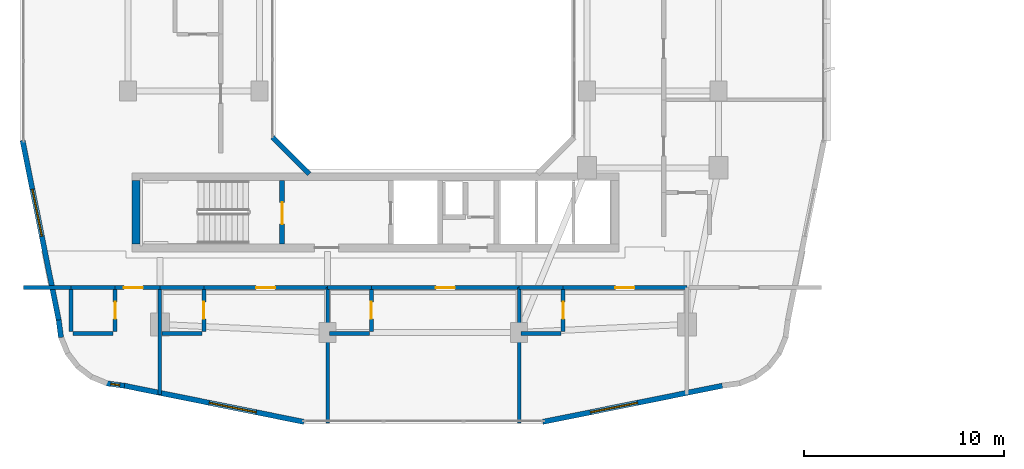
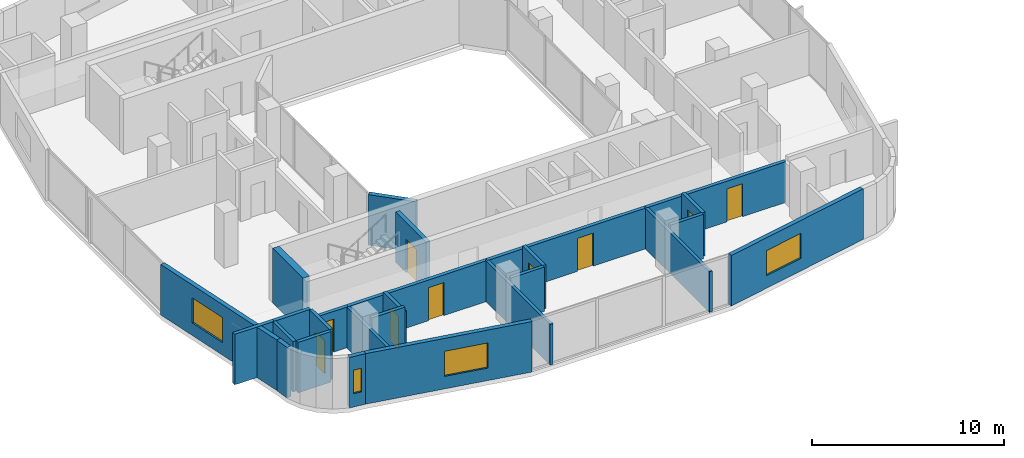
# One storey, part 12 of 26: 29 walls, 9 doors, 4 windows, 13 openings.
"""IFC4 building model written with IfcOpenShell, lengths in metres."""

import ifcopenshell
import ifcopenshell.guid

model = None  # the IFC model being written
_history = None  # IfcOwnerHistory: only IFC2X3 demands one
_inside = {}  # id of a spatial element -> (the spatial element, [elements in it])
_under = {}  # id of a project, library or spatial element -> (it, [spatial elements below it])
_declared = {}  # id of a project -> (the project, [libraries it declares])
_typed = {}  # id of a type object -> (the type object, [elements of that type])
_made_of = {}  # id of a material, layer set ... -> (it, [elements and type objects made of it])


def new_model(schema):
    """Start an empty IFC model of exactly this schema.

    Asked for "IFC4X3", IfcOpenShell would pick the latest addendum, in which some entities
    have other attributes; the version numbers below select the first issue.
    IFC2X3 requires an IfcOwnerHistory on every rooted entity: one is made here for all.
    """
    global model, _history
    if schema == "IFC4X3":
        model = ifcopenshell.file(schema_version=(4, 3, 0, 0))
    else:
        model = ifcopenshell.file(schema=schema)
    _inside.clear()
    _under.clear()
    _declared.clear()
    _typed.clear()
    _made_of.clear()
    _history = None
    if model.schema == "IFC2X3":
        org = make("IfcOrganization", Name="unknown")
        user = make(
            "IfcPersonAndOrganization",
            ThePerson=make("IfcPerson", FamilyName="unknown"),
            TheOrganization=org,
        )
        app = make(
            "IfcApplication",
            ApplicationDeveloper=org,
            Version="unknown",
            ApplicationFullName="unknown",
            ApplicationIdentifier="unknown",
        )
        _history = make(
            "IfcOwnerHistory",
            OwningUser=user,
            OwningApplication=app,
            ChangeAction="ADDED",
            CreationDate=0,
        )
    return model


def make(cls, **values):
    """One entity of the class cls with the attributes given. An attribute that is None is left unset."""
    return model.create_entity(
        cls, **{name: value for name, value in values.items() if value is not None}
    )


def rooted(cls, **values):
    """An entity with a GlobalId (a new one), such as an element, a storey or a relation."""
    return make(cls, GlobalId=ifcopenshell.guid.new(), OwnerHistory=_history, **values)


def si_unit(unit_type, name, prefix=None):
    """IfcSIUnit, for example si_unit("LENGTHUNIT", "METRE", prefix="MILLI")."""
    return make("IfcSIUnit", UnitType=unit_type, Prefix=prefix, Name=name)


def derived_unit(unit_type, elements):
    """IfcDerivedUnit: a product of units, each with its exponent."""
    return make(
        "IfcDerivedUnit",
        Elements=[
            make("IfcDerivedUnitElement", Unit=unit, Exponent=power)
            for unit, power in elements
        ],
        UnitType=unit_type,
    )


def assignment(units):
    """IfcUnitAssignment: the units of a project."""
    return None if units is None else make("IfcUnitAssignment", Units=units)


def point(xyz):
    """IfcCartesianPoint."""
    return None if xyz is None else make("IfcCartesianPoint", Coordinates=xyz)


def direction(xyz):
    """IfcDirection."""
    return None if xyz is None else make("IfcDirection", DirectionRatios=xyz)


def frame(location, z_axis=None, x_axis=None):
    """IfcAxis2Placement3D, a coordinate frame: its origin and axes. An axis left out is left unset."""
    return make(
        "IfcAxis2Placement3D",
        Location=point(location),
        Axis=direction(z_axis),
        RefDirection=direction(x_axis),
    )


def frame_2d(location, x_axis=None):
    """IfcAxis2Placement2D, a coordinate frame in the plane: its origin and x axis."""
    return make(
        "IfcAxis2Placement2D", Location=point(location), RefDirection=direction(x_axis)
    )


def origin():
    """The frame at (0, 0, 0) with its axes left unset."""
    return frame((0.0, 0.0, 0.0))


def place(relative_to, where):
    """IfcLocalPlacement: puts the frame where relative to a parent placement (None: the world)."""
    return make(
        "IfcLocalPlacement", PlacementRelTo=relative_to, RelativePlacement=where
    )


def context(
    kind, dimensions, precision=None, world=None, true_north=None, identifier=None
):
    """IfcGeometricRepresentationContext, for example the 3D "Model" context."""
    return make(
        "IfcGeometricRepresentationContext",
        ContextIdentifier=identifier,
        ContextType=kind,
        CoordinateSpaceDimension=dimensions,
        Precision=precision,
        WorldCoordinateSystem=world,
        TrueNorth=true_north,
    )


def subcontext(parent, identifier, kind, view, scale=None):
    """IfcGeometricRepresentationSubContext, for example "Body" below "Model"."""
    return make(
        "IfcGeometricRepresentationSubContext",
        ContextIdentifier=identifier,
        ContextType=kind,
        ParentContext=parent,
        TargetScale=scale,
        TargetView=view,
    )


def project(units=None, contexts=None):
    """IfcProject with its units and contexts."""
    return rooted(
        "IfcProject",
        Name="project",
        RepresentationContexts=contexts,
        UnitsInContext=assignment(units),
    )


def spatial(cls, under=None, at=None, **own):
    """A site, building, storey or space (cls), placed at a placement, below another one or the project."""
    s = rooted(cls, ObjectPlacement=at, **own)
    if under is not None:
        _under.setdefault(under.id(), (under, []))[1].append(s)
    return s


def profile(cls, at=None, kind="AREA", **sizes):
    """A parametric profile (cls). Its sizes go by their IFC names, for example OverallWidth=200.0."""
    return make(cls, ProfileType=kind, Position=at, **sizes)


def rectangle(**sizes):
    """IfcRectangleProfileDef."""
    return profile("IfcRectangleProfileDef", **sizes)


def extrude(swept, where, along, depth):
    """IfcExtrudedAreaSolid: the profile swept, set in the frame where, extruded along a direction by depth."""
    return make(
        "IfcExtrudedAreaSolid",
        SweptArea=swept,
        Position=where,
        ExtrudedDirection=direction(along),
        Depth=depth,
    )


def shape(context_of_items, identifier, shape_type, items):
    """IfcShapeRepresentation: the items that make up one representation, for example the "Body"."""
    return make(
        "IfcShapeRepresentation",
        ContextOfItems=context_of_items,
        RepresentationIdentifier=identifier,
        RepresentationType=shape_type,
        Items=items,
    )


def material(Name=None, Category=None):
    """IfcMaterial."""
    return make("IfcMaterial", Name=Name, Category=Category)


def layer(
    of_material, thickness, ventilated=None, Name=None, Category=None, Priority=None
):
    """IfcMaterialLayer: one layer of a wall or slab, of a material (None: an air gap)."""
    return make(
        "IfcMaterialLayer",
        Material=of_material,
        LayerThickness=thickness,
        IsVentilated=ventilated,
        Name=Name,
        Category=Category,
        Priority=Priority,
    )


def layer_set(layers, Name=None):
    """IfcMaterialLayerSet."""
    return make("IfcMaterialLayerSet", MaterialLayers=layers, LayerSetName=Name)


def made_of(thing, what):
    """Note that an element or type object is made of a material, layer set ...; save() writes the relation."""
    if what is not None:
        _made_of.setdefault(what.id(), (what, []))[1].append(thing)
    return thing


def type_object(cls, material=None, **own):
    """A type object (cls), such as IfcWallType, which elements share."""
    return made_of(rooted(cls, **own), material)


def element(
    cls,
    number,
    at=None,
    inside=None,
    cuts=None,
    type_object=None,
    material=None,
    context=None,
    identifier="Body",
    shape_type=None,
    held_by="IfcProductDefinitionShape",
    body=None,
    shapes=None,
    **own,
):
    """One element of the class cls, such as IfcWall. Its Tag is "e" and its number.

    at: its placement. inside: the storey or other place that contains it. cuts: it is an
    opening in that element (IfcRelVoidsElement). A single representation is given by context,
    identifier, shape_type and body (its items); several are given by shapes. held_by: the class
    of the entity that holds the representations. save() writes the other relations.
    """
    e = rooted(cls, Tag="e%d" % number, ObjectPlacement=at, **own)
    if body is not None:
        shapes = [shape(context, identifier, shape_type, body)]
    if shapes is not None:
        e.Representation = make(held_by, Representations=shapes)
    if inside is not None:
        _inside.setdefault(inside.id(), (inside, []))[1].append(e)
    if cuts is not None:
        rooted(
            "IfcRelVoidsElement", RelatingBuildingElement=cuts, RelatedOpeningElement=e
        )
    if type_object is not None:
        _typed.setdefault(type_object.id(), (type_object, []))[1].append(e)
    return made_of(e, material)


def fill(opening, filler):
    """IfcRelFillsElement: the door or window that sits in an opening."""
    return rooted(
        "IfcRelFillsElement",
        RelatingOpeningElement=opening,
        RelatedBuildingElement=filler,
    )


def aggregate(whole, parts):
    """IfcRelAggregates: a whole, such as a stair, and the parts it consists of."""
    return rooted("IfcRelAggregates", RelatingObject=whole, RelatedObjects=parts)


def save(model, path):
    """Write the relations noted so far, then the file.

    IfcRelAggregates (storeys below a building ...), IfcRelContainedInSpatialStructure (elements
    in a storey), IfcRelDefinesByType, IfcRelAssociatesMaterial and IfcRelDeclares: one each for
    every whole, place, type object, material and project.
    """
    for whole, parts in _under.values():
        aggregate(whole, parts)
    for where, things in _inside.values():
        rooted(
            "IfcRelContainedInSpatialStructure",
            RelatedElements=things,
            RelatingStructure=where,
        )
    for kind, things in _typed.values():
        rooted("IfcRelDefinesByType", RelatedObjects=things, RelatingType=kind)
    for what, things in _made_of.values():
        rooted("IfcRelAssociatesMaterial", RelatedObjects=things, RelatingMaterial=what)
    for by, libraries in _declared.values():
        rooted("IfcRelDeclares", RelatingContext=by, RelatedDefinitions=libraries)
    model.write(path)


model = new_model("IFC4")

# Units and contexts
model_context = context("Model", 3, precision=1e-05, world=origin(), true_north=direction((0.0, 1.0)))
body_context = subcontext(model_context, "Body", "Model", "MODEL_VIEW")
ifc_project = project(units=[si_unit("LENGTHUNIT", "METRE"), si_unit("AREAUNIT", "SQUARE_METRE"), si_unit("VOLUMEUNIT", "CUBIC_METRE"), si_unit("PLANEANGLEUNIT", "RADIAN"), si_unit("MASSUNIT", "GRAM", prefix="KILO"), derived_unit("THERMALTRANSMITTANCEUNIT", [(si_unit("POWERUNIT", "WATT"), 1), (si_unit("LENGTHUNIT", "METRE"), -2), (si_unit("THERMODYNAMICTEMPERATUREUNIT", "KELVIN"), -1)])], contexts=[model_context])

# Site, building, storey
site_placement = place(None, origin())
site = spatial("IfcSite", under=ifc_project, at=site_placement, CompositionType="ELEMENT")
building_placement = place(site_placement, origin())
building = spatial("IfcBuilding", under=site, at=building_placement, Name="Kivonza Crest Hotel", CompositionType="ELEMENT")
storey_placement = place(building_placement, frame((0.0, 0.0, 105.5)))
storey = spatial("IfcBuildingStorey", under=building, at=storey_placement, Name="L28", CompositionType="ELEMENT", Elevation=105.5)

# Walls
ifc_material_1 = material(Name="High-density acoustic masonry inter-tenancy wall", Category="masonry")
ifc_layer_1 = layer(ifc_material_1, 0.179931640625)
ifc_layer_set_1 = layer_set([ifc_layer_1], Name="High-density acoustic masonry inter-tenancy wall")
wall_type_1 = type_object("IfcWallType", Name="WL-ACOU-180", PredefinedType="SOLIDWALL", material=ifc_layer_set_1)
wall_1_placement = place(storey_placement, frame((7.800048828125, 6.299072265625, 0.0), z_axis=(0.0, 0.0, 1.0), x_axis=(0.0, 1.0, 0.0)))
element("IfcWall", 1, at=wall_1_placement, inside=storey, type_object=wall_type_1, Name="L28 interior partition WA-L28-T1S-DIV1", PredefinedType="SOLIDWALL", context=body_context, shape_type="SweptSolid", body=[
    extrude(rectangle(XDim=5.350830078125, YDim=0.179931640625, at=frame_2d((2.67529296875, 0.0))), origin(), (0.0, 0.0, 1.0), 2.594970703125),
])
for number, where, z_axis, x_axis, name in (
    (2, (16.199951171875, 4.860107421875, 0.0), (0.0, 0.0, 1.0), (0.0, 1.0, 0.0), "L28 interior partition WA-L28-T1S-DIV2"),
    (3, (25.800048828125, 4.860107421875, 0.0), (0.0, 0.0, 1.0), (0.0, 1.0, 0.0), "L28 interior partition WA-L28-T1S-DIV3"),
):
    element("IfcWall", number, at=place(storey_placement, frame(where, z_axis=z_axis, x_axis=x_axis)), inside=storey, type_object=wall_type_1, Name=name, PredefinedType="SOLIDWALL", context=body_context, shape_type="SweptSolid", body=[
        extrude(rectangle(XDim=6.789794921875, YDim=0.179931640625, at=frame_2d((3.39501953125, 0.0))), origin(), (0.0, 0.0, 1.0), 2.594970703125),
    ])
ifc_material_2 = material(Name="Autoclaved aerated concrete blockwork", Category="masonry")
ifc_layer_2 = layer(ifc_material_2, 0.219970703125)
ifc_layer_set_2 = layer_set([ifc_layer_2], Name="Autoclaved aerated concrete blockwork")
wall_type_2 = type_object("IfcWallType", Name="WL-ACOU-220", PredefinedType="SOLIDWALL", material=ifc_layer_set_2)
wall_2_placement = place(storey_placement, frame((0.9599609375, 11.64990234375, 0.0), z_axis=(0.0, 0.0, 1.0), x_axis=(1.0, 0.0, 0.0)))
element("IfcWall", 4, at=wall_2_placement, inside=storey, type_object=wall_type_2, Name="L28 interior partition WA-L28-S04-XCORR", PredefinedType="SOLIDWALL", context=body_context, shape_type="SweptSolid", body=[
    extrude(rectangle(XDim=2.39013671875, YDim=0.219970703125, at=frame_2d((1.195068359375, 0.0))), origin(), (0.0, 0.0, 1.0), 3.219970703125),
])
wall_3_placement = place(storey_placement, frame((3.35009765625, 11.64990234375, 0.0), z_axis=(0.0, 0.0, 1.0), x_axis=(1.0, 0.0, 0.0)))
element("IfcWall", 5, at=wall_3_placement, inside=storey, type_object=wall_type_2, Name="L28 interior partition WA-L28-S04-BCORR", PredefinedType="SOLIDWALL", context=body_context, shape_type="SweptSolid", body=[
    extrude(rectangle(XDim=2.199951171875, YDim=0.219970703125, at=frame_2d((1.10009765625, 0.0))), origin(), (0.0, 0.0, 1.0), 3.219970703125),
])

# Wall, opening, door
wall_4_placement = place(storey_placement, frame((5.550048828125, 11.64990234375, 0.0), z_axis=(0.0, 0.0, 1.0), x_axis=(1.0, 0.0, 0.0)))
wall_4 = element("IfcWall", 6, at=wall_4_placement, inside=storey, type_object=wall_type_2, Name="L28 interior partition WA-L28-S04-MCORR", PredefinedType="SOLIDWALL", context=body_context, shape_type="SweptSolid", body=[
    extrude(rectangle(XDim=2.25, YDim=0.219970703125, at=frame_2d((1.125, 0.0))), origin(), (0.0, 0.0, 1.0), 2.594970703125),
])
opening_1_placement = place(wall_4_placement, frame((0.43994140625, 0.0, 0.0)))
opening_1 = element("IfcOpeningElement", 7, at=opening_1_placement, cuts=wall_4, Name="Opening DU-60", PredefinedType="OPENING", context=body_context, shape_type="SweptSolid", body=[
    extrude(rectangle(XDim=0.949951171875, YDim=2.10009765625, at=frame_2d((0.47509765625, 1.050048828125))), frame((0.0, 0.1201171875, 0.0), z_axis=(0.0, -1.0, 0.0), x_axis=(1.0, 0.0, 0.0)), (0.0, 0.0, 1.0), 0.239990234375),
])
ifc_material_3 = material(Name="Hardwood timber oak", Category="wood")
door_type_1 = type_object("IfcDoorType", Name="DR-UNIT-950", OperationType="NOTDEFINED", PredefinedType="DOOR", material=ifc_material_3)
door_1_placement = place(opening_1_placement, frame((0.949951171875, 0.0, 0.0), z_axis=(0.0, 0.0, 1.0), x_axis=(-1.0, 0.0, 0.0)))
door_1 = element("IfcDoor", 8, at=door_1_placement, inside=storey, type_object=door_type_1, Name="L28 S04 guest unit entrance fire door", OperationType="SINGLE_SWING_RIGHT", OverallHeight=2.10009765625, OverallWidth=0.949951171875, PredefinedType="DOOR", context=body_context, shape_type="SweptSolid", body=[
    extrude(rectangle(XDim=0.949951171875, YDim=2.10009765625, at=frame_2d((0.47509765625, 1.050048828125))), frame((0.0, 0.02490234375, 0.0), z_axis=(0.0, -1.0, 0.0), x_axis=(1.0, 0.0, 0.0)), (0.0, 0.0, 1.0), 0.050048828125),
])
fill(opening_1, door_1)

# Wall
wall_5_placement = place(storey_placement, frame((7.800048828125, 11.64990234375, 0.0), z_axis=(0.0, 0.0, 1.0), x_axis=(1.0, 0.0, 0.0)))
element("IfcWall", 9, at=wall_5_placement, inside=storey, type_object=wall_type_2, Name="L28 interior partition WA-L28-S05-BCORR", PredefinedType="SOLIDWALL", context=body_context, shape_type="SweptSolid", body=[
    extrude(rectangle(XDim=2.199951171875, YDim=0.219970703125, at=frame_2d((1.10009765625, 0.0))), origin(), (0.0, 0.0, 1.0), 2.594970703125),
])

# Wall, opening, door
wall_6_placement = place(storey_placement, frame((10.0, 11.64990234375, 0.0), z_axis=(0.0, 0.0, 1.0), x_axis=(1.0, 0.0, 0.0)))
wall_6 = element("IfcWall", 10, at=wall_6_placement, inside=storey, type_object=wall_type_2, Name="L28 interior partition WA-L28-S05-MCORR", PredefinedType="SOLIDWALL", context=body_context, shape_type="SweptSolid", body=[
    extrude(rectangle(XDim=6.199951171875, YDim=0.219970703125, at=frame_2d((3.10009765625, 0.0))), origin(), (0.0, 0.0, 1.0), 2.594970703125),
])
opening_2_placement = place(wall_6_placement, frame((2.625, 0.0, 0.0)))
opening_2 = element("IfcOpeningElement", 11, at=opening_2_placement, cuts=wall_6, Name="Opening DU-60", PredefinedType="OPENING", context=body_context, shape_type="SweptSolid", body=[
    extrude(rectangle(XDim=0.949951171875, YDim=2.10009765625, at=frame_2d((0.47509765625, 1.050048828125))), frame((0.0, 0.1201171875, 0.0), z_axis=(0.0, -1.0, 0.0), x_axis=(1.0, 0.0, 0.0)), (0.0, 0.0, 1.0), 0.239990234375),
])
door_2_placement = place(opening_2_placement, frame((0.949951171875, 0.0, 0.0), z_axis=(0.0, 0.0, 1.0), x_axis=(-1.0, 0.0, 0.0)))
door_2 = element("IfcDoor", 12, at=door_2_placement, inside=storey, type_object=door_type_1, Name="L28 S05 guest unit entrance fire door", OperationType="SINGLE_SWING_LEFT", OverallHeight=2.10009765625, OverallWidth=0.949951171875, PredefinedType="DOOR", context=body_context, shape_type="SweptSolid", body=[
    extrude(rectangle(XDim=0.949951171875, YDim=2.10009765625, at=frame_2d((0.47509765625, 1.050048828125))), frame((0.0, 0.02490234375, 0.0), z_axis=(0.0, -1.0, 0.0), x_axis=(1.0, 0.0, 0.0)), (0.0, 0.0, 1.0), 0.050048828125),
])
fill(opening_2, door_2)

# Wall
wall_7_placement = place(storey_placement, frame((16.199951171875, 11.64990234375, 0.0), z_axis=(0.0, 0.0, 1.0), x_axis=(1.0, 0.0, 0.0)))
element("IfcWall", 13, at=wall_7_placement, inside=storey, type_object=wall_type_2, Name="L28 interior partition WA-L28-S06-BCORR", PredefinedType="SOLIDWALL", context=body_context, shape_type="SweptSolid", body=[
    extrude(rectangle(XDim=2.199951171875, YDim=0.219970703125, at=frame_2d((1.10009765625, 0.0))), origin(), (0.0, 0.0, 1.0), 2.594970703125),
])

# Wall, opening, door
wall_8_placement = place(storey_placement, frame((18.39990234375, 11.64990234375, 0.0), z_axis=(0.0, 0.0, 1.0), x_axis=(1.0, 0.0, 0.0)))
wall_8 = element("IfcWall", 14, at=wall_8_placement, inside=storey, type_object=wall_type_2, Name="L28 interior partition WA-L28-S06-MCORR", PredefinedType="SOLIDWALL", context=body_context, shape_type="SweptSolid", body=[
    extrude(rectangle(XDim=7.400146484375, YDim=0.219970703125, at=frame_2d((3.7001953125, 0.0))), origin(), (0.0, 0.0, 1.0), 2.594970703125),
])
opening_3_placement = place(wall_8_placement, frame((3.22509765625, 0.0, 0.0)))
opening_3 = element("IfcOpeningElement", 15, at=opening_3_placement, cuts=wall_8, Name="Opening DU-60", PredefinedType="OPENING", context=body_context, shape_type="SweptSolid", body=[
    extrude(rectangle(XDim=0.949951171875, YDim=2.10009765625, at=frame_2d((0.47509765625, 1.050048828125))), frame((0.0, 0.1201171875, 0.0), z_axis=(0.0, -1.0, 0.0), x_axis=(1.0, 0.0, 0.0)), (0.0, 0.0, 1.0), 0.239990234375),
])
door_3_placement = place(opening_3_placement, frame((0.949951171875, 0.0, 0.0), z_axis=(0.0, 0.0, 1.0), x_axis=(-1.0, 0.0, 0.0)))
door_3 = element("IfcDoor", 16, at=door_3_placement, inside=storey, type_object=door_type_1, Name="L28 S06 guest unit entrance fire door", OperationType="SINGLE_SWING_RIGHT", OverallHeight=2.10009765625, OverallWidth=0.949951171875, PredefinedType="DOOR", context=body_context, shape_type="SweptSolid", body=[
    extrude(rectangle(XDim=0.949951171875, YDim=2.10009765625, at=frame_2d((0.47509765625, 1.050048828125))), frame((0.0, 0.02490234375, 0.0), z_axis=(0.0, -1.0, 0.0), x_axis=(1.0, 0.0, 0.0)), (0.0, 0.0, 1.0), 0.050048828125),
])
fill(opening_3, door_3)

# Wall
wall_9_placement = place(storey_placement, frame((25.800048828125, 11.64990234375, 0.0), z_axis=(0.0, 0.0, 1.0), x_axis=(1.0, 0.0, 0.0)))
element("IfcWall", 17, at=wall_9_placement, inside=storey, type_object=wall_type_2, Name="L28 interior partition WA-L28-S07-BCORR", PredefinedType="SOLIDWALL", context=body_context, shape_type="SweptSolid", body=[
    extrude(rectangle(XDim=2.199951171875, YDim=0.219970703125, at=frame_2d((1.10009765625, 0.0))), origin(), (0.0, 0.0, 1.0), 2.594970703125),
])

# Wall, opening, door
wall_10_placement = place(storey_placement, frame((28.0, 11.64990234375, 0.0), z_axis=(0.0, 0.0, 1.0), x_axis=(1.0, 0.0, 0.0)))
wall_10 = element("IfcWall", 18, at=wall_10_placement, inside=storey, type_object=wall_type_2, Name="L28 interior partition WA-L28-S07-MCORR", PredefinedType="SOLIDWALL", context=body_context, shape_type="SweptSolid", body=[
    extrude(rectangle(XDim=6.199951171875, YDim=0.219970703125, at=frame_2d((3.10009765625, 0.0))), origin(), (0.0, 0.0, 1.0), 2.594970703125),
])
opening_4_placement = place(wall_10_placement, frame((2.625, 0.0, 0.0)))
opening_4 = element("IfcOpeningElement", 19, at=opening_4_placement, cuts=wall_10, Name="Opening DU-60", PredefinedType="OPENING", context=body_context, shape_type="SweptSolid", body=[
    extrude(rectangle(XDim=0.949951171875, YDim=2.10009765625, at=frame_2d((0.47509765625, 1.050048828125))), frame((0.0, 0.1201171875, 0.0), z_axis=(0.0, -1.0, 0.0), x_axis=(1.0, 0.0, 0.0)), (0.0, 0.0, 1.0), 0.239990234375),
])
door_4_placement = place(opening_4_placement, frame((0.949951171875, 0.0, 0.0), z_axis=(0.0, 0.0, 1.0), x_axis=(-1.0, 0.0, 0.0)))
door_4 = element("IfcDoor", 20, at=door_4_placement, inside=storey, type_object=door_type_1, Name="L28 S07 guest unit entrance fire door", OperationType="SINGLE_SWING_LEFT", OverallHeight=2.10009765625, OverallWidth=0.949951171875, PredefinedType="DOOR", context=body_context, shape_type="SweptSolid", body=[
    extrude(rectangle(XDim=0.949951171875, YDim=2.10009765625, at=frame_2d((0.47509765625, 1.050048828125))), frame((0.0, 0.02490234375, 0.0), z_axis=(0.0, -1.0, 0.0), x_axis=(1.0, 0.0, 0.0)), (0.0, 0.0, 1.0), 0.050048828125),
])
fill(opening_4, door_4)

# Walls
ifc_material_4 = material(Name="Concrete C50/60", Category="concrete")
ifc_layer_3 = layer(ifc_material_4, 0.39990234375)
ifc_layer_set_3 = layer_set([ifc_layer_3], Name="Concrete C50/60")
wall_type_3 = type_object("IfcWallType", Name="WL-CORE-400", PredefinedType="SHEAR", material=ifc_layer_set_3)
wall_11_placement = place(storey_placement, frame((6.60009765625, 13.840087890625, 0.0), z_axis=(0.0, 0.0, 1.0), x_axis=(0.0, 1.0, 0.0)))
element("IfcWall", 21, at=wall_11_placement, inside=storey, type_object=wall_type_3, Name="Core wall T1-S West L28", PredefinedType="SHEAR", context=body_context, shape_type="SweptSolid", body=[
    extrude(rectangle(XDim=3.159912109375, YDim=0.39990234375, at=frame_2d((1.580078125, 0.0))), origin(), (0.0, 0.0, 1.0), 3.5),
])
ifc_material_5 = material(Name="Precast concrete C40/50", Category="concrete")
ifc_layer_4 = layer(ifc_material_5, 0.260009765625)
ifc_layer_set_4 = layer_set([ifc_layer_4], Name="Precast concrete C40/50")
wall_type_4 = type_object("IfcWallType", Name="WL-EXT-260", PredefinedType="STANDARD", material=ifc_layer_set_4)
wall_12_placement = place(storey_placement, frame((2.72802734375, 10.02490234375, 0.0), z_axis=(0.0, 0.0, 1.0), x_axis=(0.130953706898, -0.991388484223, 0.0)))
element("IfcWall", 22, at=wall_12_placement, inside=storey, type_object=wall_type_4, Name="L28 T1 exterior insulated wall 1", PredefinedType="STANDARD", context=body_context, shape_type="SweptSolid", body=[
    extrude(rectangle(XDim=0.885498046875, YDim=0.260009765625, at=frame_2d((0.44287109375, 0.0))), origin(), (0.0, 0.0, 1.0), 3.219970703125),
])

# Wall, opening, window
wall_13_placement = place(storey_placement, frame((5.112060546875, 6.847900390625, 0.0), z_axis=(0.0, 0.0, 1.0), x_axis=(0.991487658083, -0.130200706103, 0.0)))
wall_13 = element("IfcWall", 23, at=wall_13_placement, inside=storey, type_object=wall_type_4, Name="L28 T1 exterior insulated wall 6", PredefinedType="STANDARD", context=body_context, shape_type="SweptSolid", body=[
    extrude(rectangle(XDim=0.920654296875, YDim=0.260009765625, at=frame_2d((0.46044921875, 0.0))), origin(), (0.0, 0.0, 1.0), 3.219970703125),
])
opening_5_placement = place(wall_13_placement, frame((0.235107421875, 0.0, 0.85009765625)))
opening_5 = element("IfcOpeningElement", 24, at=opening_5_placement, cuts=wall_13, Name="Opening WN-11", PredefinedType="OPENING", context=body_context, shape_type="SweptSolid", body=[
    extrude(rectangle(XDim=0.449951171875, YDim=1.5, at=frame_2d((0.22509765625, 0.75))), frame((0.0, 0.14013671875, 0.0), z_axis=(0.0, -1.0, 0.0), x_axis=(1.0, 0.0, 0.0)), (0.0, 0.0, 1.0), 0.280029296875),
])
ifc_material_6 = material(Name="Thermally broken bronze aluminium and low-E double glazing", Category="aluminium")
window_type_1 = type_object("IfcWindowType", Name="WN-045x150", PartitioningType="SINGLE_PANEL", PredefinedType="WINDOW", material=ifc_material_6)
window_1_placement = place(opening_5_placement, origin())
window_1 = element("IfcWindow", 25, at=window_1_placement, inside=storey, type_object=window_type_1, Name="L28 corner vision window 2", OverallHeight=1.5, OverallWidth=0.449951171875, PartitioningType="SINGLE_PANEL", PredefinedType="WINDOW", context=body_context, shape_type="SweptSolid", body=[
    extrude(rectangle(XDim=0.449951171875, YDim=1.5, at=frame_2d((0.22509765625, 0.75))), frame((0.0, 0.030029296875, 0.0), z_axis=(0.0, -1.0, 0.0), x_axis=(1.0, 0.0, 0.0)), (0.0, 0.0, 1.0), 0.06005859375),
])
fill(opening_5, window_1)

wall_14_placement = place(storey_placement, frame((6.01806640625, 6.72900390625, 0.0), z_axis=(0.0, 0.0, 1.0), x_axis=(0.980315963543, -0.197435082048, 0.0)))
wall_14 = element("IfcWall", 26, at=wall_14_placement, inside=storey, type_object=wall_type_4, Name="L28 T1 exterior insulated wall 7", PredefinedType="STANDARD", context=body_context, shape_type="SweptSolid", body=[
    extrude(rectangle(XDim=9.1826171875, YDim=0.260009765625, at=frame_2d((4.59130859375, 0.0))), origin(), (0.0, 0.0, 1.0), 3.219970703125),
])
opening_6_placement = place(wall_14_placement, frame((4.3369140625, 0.0, 0.800048828125)))
opening_6 = element("IfcOpeningElement", 27, at=opening_6_placement, cuts=wall_14, Name="Opening WN-05", PredefinedType="OPENING", context=body_context, shape_type="SweptSolid", body=[
    extrude(rectangle(XDim=2.39990234375, YDim=1.60009765625, at=frame_2d((1.199951171875, 0.800048828125))), frame((0.0, 0.14013671875, 0.0), z_axis=(0.0, -1.0, 0.0), x_axis=(1.0, 0.0, 0.0)), (0.0, 0.0, 1.0), 0.280029296875),
])
window_type_2 = type_object("IfcWindowType", Name="WN-240x160", PartitioningType="TRIPLE_PANEL_VERTICAL", PredefinedType="WINDOW", material=ifc_material_6)
window_2_placement = place(opening_6_placement, origin())
window_2 = element("IfcWindow", 28, at=window_2_placement, inside=storey, type_object=window_type_2, Name="L28 T1 facade window 7", OverallHeight=1.60009765625, OverallWidth=2.39990234375, PartitioningType="SINGLE_PANEL", PredefinedType="WINDOW", context=body_context, shape_type="SweptSolid", body=[
    extrude(rectangle(XDim=2.39990234375, YDim=1.60009765625, at=frame_2d((1.199951171875, 0.800048828125))), frame((0.0, 0.030029296875, 0.0), z_axis=(0.0, -1.0, 0.0), x_axis=(1.0, 0.0, 0.0)), (0.0, 0.0, 1.0), 0.06005859375),
])
fill(opening_6, window_2)

wall_15_placement = place(storey_placement, frame((26.97998046875, 4.916015625, 0.0), z_axis=(0.0, 0.0, 1.0), x_axis=(0.980315963543, 0.197435082048, 0.0)))
wall_15 = element("IfcWall", 29, at=wall_15_placement, inside=storey, type_object=wall_type_4, Name="L28 T1 exterior insulated wall 9", PredefinedType="STANDARD", context=body_context, shape_type="SweptSolid", body=[
    extrude(rectangle(XDim=9.1826171875, YDim=0.260009765625, at=frame_2d((4.59130859375, 0.0))), origin(), (0.0, 0.0, 1.0), 3.219970703125),
])
opening_7_placement = place(wall_15_placement, frame((2.445068359375, 0.0, 0.800048828125)))
opening_7 = element("IfcOpeningElement", 30, at=opening_7_placement, cuts=wall_15, Name="Opening WN-05", PredefinedType="OPENING", context=body_context, shape_type="SweptSolid", body=[
    extrude(rectangle(XDim=2.39990234375, YDim=1.60009765625, at=frame_2d((1.199951171875, 0.800048828125))), frame((0.0, 0.14013671875, 0.0), z_axis=(0.0, -1.0, 0.0), x_axis=(1.0, 0.0, 0.0)), (0.0, 0.0, 1.0), 0.280029296875),
])
window_3_placement = place(opening_7_placement, origin())
window_3 = element("IfcWindow", 31, at=window_3_placement, inside=storey, type_object=window_type_2, Name="L28 T1 facade window 9", OverallHeight=1.60009765625, OverallWidth=2.39990234375, PartitioningType="SINGLE_PANEL", PredefinedType="WINDOW", context=body_context, shape_type="SweptSolid", body=[
    extrude(rectangle(XDim=2.39990234375, YDim=1.60009765625, at=frame_2d((1.199951171875, 0.800048828125))), frame((0.0, 0.030029296875, 0.0), z_axis=(0.0, -1.0, 0.0), x_axis=(1.0, 0.0, 0.0)), (0.0, 0.0, 1.0), 0.06005859375),
])
fill(opening_7, window_3)

wall_16_placement = place(storey_placement, frame((0.916015625, 19.02001953125, 0.0), z_axis=(0.0, 0.0, 1.0), x_axis=(0.197435082048, -0.980315963543, 0.0)))
wall_16 = element("IfcWall", 32, at=wall_16_placement, inside=storey, type_object=wall_type_4, Name="L28 T1 exterior insulated wall 36", PredefinedType="STANDARD", context=body_context, shape_type="SweptSolid", body=[
    extrude(rectangle(XDim=9.1826171875, YDim=0.260009765625, at=frame_2d((4.59130859375, 0.0))), origin(), (0.0, 0.0, 1.0), 3.219970703125),
])
opening_8_placement = place(wall_16_placement, frame((2.4970703125, 0.0, 0.800048828125)))
opening_8 = element("IfcOpeningElement", 33, at=opening_8_placement, cuts=wall_16, Name="Opening WN-05", PredefinedType="OPENING", context=body_context, shape_type="SweptSolid", body=[
    extrude(rectangle(XDim=2.39990234375, YDim=1.60009765625, at=frame_2d((1.199951171875, 0.800048828125))), frame((0.0, 0.14013671875, 0.0), z_axis=(0.0, -1.0, 0.0), x_axis=(1.0, 0.0, 0.0)), (0.0, 0.0, 1.0), 0.280029296875),
])
window_4_placement = place(opening_8_placement, origin())
window_4 = element("IfcWindow", 34, at=window_4_placement, inside=storey, type_object=window_type_2, Name="L28 T1 facade window 36", OverallHeight=1.60009765625, OverallWidth=2.39990234375, PartitioningType="SINGLE_PANEL", PredefinedType="WINDOW", context=body_context, shape_type="SweptSolid", body=[
    extrude(rectangle(XDim=2.39990234375, YDim=1.60009765625, at=frame_2d((1.199951171875, 0.800048828125))), frame((0.0, 0.030029296875, 0.0), z_axis=(0.0, -1.0, 0.0), x_axis=(1.0, 0.0, 0.0)), (0.0, 0.0, 1.0), 0.06005859375),
])
fill(opening_8, window_4)

# Wall
wall_17_placement = place(storey_placement, frame((13.444091796875, 19.172119140625, 0.0), z_axis=(0.0, 0.0, 1.0), x_axis=(0.707059717605, -0.707153841636, 0.0)))
element("IfcWall", 35, at=wall_17_placement, inside=storey, type_object=wall_type_4, Name="L28 T1 light-well exterior wall 8", PredefinedType="STANDARD", context=body_context, shape_type="SweptSolid", body=[
    extrude(rectangle(XDim=2.59375, YDim=0.260009765625, at=frame_2d((1.296875, 0.0))), origin(), (0.0, 0.0, 1.0), 3.219970703125),
])

# Wall, opening, door
ifc_material_7 = material(Name="Moisture-resistant plumbing chase partition wall", Category="gypsum")
ifc_layer_5 = layer(ifc_material_7, 0.199951171875)
ifc_layer_set_5 = layer_set([ifc_layer_5], Name="Moisture-resistant plumbing chase partition wall")
wall_type_5 = type_object("IfcWallType", Name="WL-PLUMB-200", PredefinedType="PLUMBINGWALL", material=ifc_layer_set_5)
wall_18_placement = place(storey_placement, frame((5.550048828125, 9.449951171875, 0.0), z_axis=(0.0, 0.0, 1.0), x_axis=(0.0, 1.0, 0.0)))
wall_18 = element("IfcWall", 36, at=wall_18_placement, inside=storey, type_object=wall_type_5, Name="L28 interior partition WW-L28-S04-BV", PredefinedType="PLUMBINGWALL", context=body_context, shape_type="SweptSolid", body=[
    extrude(rectangle(XDim=2.10009765625, YDim=0.199951171875, at=frame_2d((1.050048828125, 0.0))), origin(), (0.0, 0.0, 1.0), 3.219970703125),
])
opening_9_placement = place(wall_18_placement, frame((0.625, 0.0, 0.0)))
opening_9 = element("IfcOpeningElement", 37, at=opening_9_placement, cuts=wall_18, Name="Opening DI-85", PredefinedType="OPENING", context=body_context, shape_type="SweptSolid", body=[
    extrude(rectangle(XDim=0.85009765625, YDim=2.10009765625, at=frame_2d((0.425048828125, 1.050048828125))), frame((0.0, 0.10986328125, 0.0), z_axis=(0.0, -1.0, 0.0), x_axis=(1.0, 0.0, 0.0)), (0.0, 0.0, 1.0), 0.219970703125),
])
door_type_2 = type_object("IfcDoorType", Name="DR-INT-850", OperationType="NOTDEFINED", PredefinedType="DOOR", material=ifc_material_3)
door_5_placement = place(opening_9_placement, frame((0.85009765625, 0.0, 0.0), z_axis=(0.0, 0.0, 1.0), x_axis=(-1.0, 0.0, 0.0)))
door_5 = element("IfcDoor", 38, at=door_5_placement, inside=storey, type_object=door_type_2, Name="L28 S04 en-suite bathroom door", OperationType="SINGLE_SWING_LEFT", OverallHeight=2.10009765625, OverallWidth=0.85009765625, PredefinedType="DOOR", context=body_context, shape_type="SweptSolid", body=[
    extrude(rectangle(XDim=0.85009765625, YDim=2.10009765625, at=frame_2d((0.425048828125, 1.050048828125))), frame((0.0, 0.02490234375, 0.0), z_axis=(0.0, -1.0, 0.0), x_axis=(1.0, 0.0, 0.0)), (0.0, 0.0, 1.0), 0.050048828125),
])
fill(opening_9, door_5)

# Walls
wall_19_placement = place(storey_placement, frame((3.449951171875, 9.35009765625, 0.0), z_axis=(0.0, 0.0, 1.0), x_axis=(1.0, 0.0, 0.0)))
element("IfcWall", 39, at=wall_19_placement, inside=storey, type_object=wall_type_5, Name="L28 interior partition WW-L28-S04-BH", PredefinedType="PLUMBINGWALL", context=body_context, shape_type="SweptSolid", body=[
    extrude(rectangle(XDim=2.0, YDim=0.199951171875, at=frame_2d((1.0, 0.0))), origin(), (0.0, 0.0, 1.0), 3.219970703125),
])
wall_20_placement = place(storey_placement, frame((3.35009765625, 9.449951171875, 0.0), z_axis=(0.0, 0.0, 1.0), x_axis=(0.0, 1.0, 0.0)))
element("IfcWall", 40, at=wall_20_placement, inside=storey, type_object=wall_type_5, Name="L28 interior partition WW-L28-S04-BVW", PredefinedType="PLUMBINGWALL", context=body_context, shape_type="SweptSolid", body=[
    extrude(rectangle(XDim=2.10009765625, YDim=0.199951171875, at=frame_2d((1.050048828125, 0.0))), origin(), (0.0, 0.0, 1.0), 3.219970703125),
])

# Wall, opening, door
wall_21_placement = place(storey_placement, frame((10.0, 9.449951171875, 0.0), z_axis=(0.0, 0.0, 1.0), x_axis=(0.0, 1.0, 0.0)))
wall_21 = element("IfcWall", 41, at=wall_21_placement, inside=storey, type_object=wall_type_5, Name="L28 interior partition WW-L28-S05-BV", PredefinedType="PLUMBINGWALL", context=body_context, shape_type="SweptSolid", body=[
    extrude(rectangle(XDim=2.10009765625, YDim=0.199951171875, at=frame_2d((1.050048828125, 0.0))), origin(), (0.0, 0.0, 1.0), 2.794921875),
])
opening_10_placement = place(wall_21_placement, frame((0.625, 0.0, 0.0)))
opening_10 = element("IfcOpeningElement", 42, at=opening_10_placement, cuts=wall_21, Name="Opening DI-85", PredefinedType="OPENING", context=body_context, shape_type="SweptSolid", body=[
    extrude(rectangle(XDim=0.85009765625, YDim=2.10009765625, at=frame_2d((0.425048828125, 1.050048828125))), frame((0.0, 0.10986328125, 0.0), z_axis=(0.0, -1.0, 0.0), x_axis=(1.0, 0.0, 0.0)), (0.0, 0.0, 1.0), 0.219970703125),
])
door_6_placement = place(opening_10_placement, frame((0.85009765625, 0.0, 0.0), z_axis=(0.0, 0.0, 1.0), x_axis=(-1.0, 0.0, 0.0)))
door_6 = element("IfcDoor", 43, at=door_6_placement, inside=storey, type_object=door_type_2, Name="L28 S05 en-suite bathroom door", OperationType="SINGLE_SWING_RIGHT", OverallHeight=2.10009765625, OverallWidth=0.85009765625, PredefinedType="DOOR", context=body_context, shape_type="SweptSolid", body=[
    extrude(rectangle(XDim=0.85009765625, YDim=2.10009765625, at=frame_2d((0.425048828125, 1.050048828125))), frame((0.0, 0.02490234375, 0.0), z_axis=(0.0, -1.0, 0.0), x_axis=(1.0, 0.0, 0.0)), (0.0, 0.0, 1.0), 0.050048828125),
])
fill(opening_10, door_6)

# Wall
wall_22_placement = place(storey_placement, frame((7.89990234375, 9.35009765625, 0.0), z_axis=(0.0, 0.0, 1.0), x_axis=(1.0, 0.0, 0.0)))
element("IfcWall", 44, at=wall_22_placement, inside=storey, type_object=wall_type_5, Name="L28 interior partition WW-L28-S05-BH", PredefinedType="PLUMBINGWALL", context=body_context, shape_type="SweptSolid", body=[
    extrude(rectangle(XDim=2.0, YDim=0.199951171875, at=frame_2d((1.0, 0.0))), origin(), (0.0, 0.0, 1.0), 3.219970703125),
])

# Wall, opening, door
wall_23_placement = place(storey_placement, frame((18.39990234375, 9.449951171875, 0.0), z_axis=(0.0, 0.0, 1.0), x_axis=(0.0, 1.0, 0.0)))
wall_23 = element("IfcWall", 45, at=wall_23_placement, inside=storey, type_object=wall_type_5, Name="L28 interior partition WW-L28-S06-BV", PredefinedType="PLUMBINGWALL", context=body_context, shape_type="SweptSolid", body=[
    extrude(rectangle(XDim=2.10009765625, YDim=0.199951171875, at=frame_2d((1.050048828125, 0.0))), origin(), (0.0, 0.0, 1.0), 2.794921875),
])
opening_11_placement = place(wall_23_placement, frame((0.625, 0.0, 0.0)))
opening_11 = element("IfcOpeningElement", 46, at=opening_11_placement, cuts=wall_23, Name="Opening DI-85", PredefinedType="OPENING", context=body_context, shape_type="SweptSolid", body=[
    extrude(rectangle(XDim=0.85009765625, YDim=2.10009765625, at=frame_2d((0.425048828125, 1.050048828125))), frame((0.0, 0.10986328125, 0.0), z_axis=(0.0, -1.0, 0.0), x_axis=(1.0, 0.0, 0.0)), (0.0, 0.0, 1.0), 0.219970703125),
])
door_7_placement = place(opening_11_placement, frame((0.85009765625, 0.0, 0.0), z_axis=(0.0, 0.0, 1.0), x_axis=(-1.0, 0.0, 0.0)))
door_7 = element("IfcDoor", 47, at=door_7_placement, inside=storey, type_object=door_type_2, Name="L28 S06 en-suite bathroom door", OperationType="SINGLE_SWING_LEFT", OverallHeight=2.10009765625, OverallWidth=0.85009765625, PredefinedType="DOOR", context=body_context, shape_type="SweptSolid", body=[
    extrude(rectangle(XDim=0.85009765625, YDim=2.10009765625, at=frame_2d((0.425048828125, 1.050048828125))), frame((0.0, 0.02490234375, 0.0), z_axis=(0.0, -1.0, 0.0), x_axis=(1.0, 0.0, 0.0)), (0.0, 0.0, 1.0), 0.050048828125),
])
fill(opening_11, door_7)

# Wall
wall_24_placement = place(storey_placement, frame((16.300048828125, 9.35009765625, 0.0), z_axis=(0.0, 0.0, 1.0), x_axis=(1.0, 0.0, 0.0)))
element("IfcWall", 48, at=wall_24_placement, inside=storey, type_object=wall_type_5, Name="L28 interior partition WW-L28-S06-BH", PredefinedType="PLUMBINGWALL", context=body_context, shape_type="SweptSolid", body=[
    extrude(rectangle(XDim=2.0, YDim=0.199951171875, at=frame_2d((1.0, 0.0))), origin(), (0.0, 0.0, 1.0), 2.8349609375),
])

# Wall, opening, door
wall_25_placement = place(storey_placement, frame((28.0, 9.449951171875, 0.0), z_axis=(0.0, 0.0, 1.0), x_axis=(0.0, 1.0, 0.0)))
wall_25 = element("IfcWall", 49, at=wall_25_placement, inside=storey, type_object=wall_type_5, Name="L28 interior partition WW-L28-S07-BV", PredefinedType="PLUMBINGWALL", context=body_context, shape_type="SweptSolid", body=[
    extrude(rectangle(XDim=2.10009765625, YDim=0.199951171875, at=frame_2d((1.050048828125, 0.0))), origin(), (0.0, 0.0, 1.0), 2.794921875),
])
opening_12_placement = place(wall_25_placement, frame((0.625, 0.0, 0.0)))
opening_12 = element("IfcOpeningElement", 50, at=opening_12_placement, cuts=wall_25, Name="Opening DI-85", PredefinedType="OPENING", context=body_context, shape_type="SweptSolid", body=[
    extrude(rectangle(XDim=0.85009765625, YDim=2.10009765625, at=frame_2d((0.425048828125, 1.050048828125))), frame((0.0, 0.10986328125, 0.0), z_axis=(0.0, -1.0, 0.0), x_axis=(1.0, 0.0, 0.0)), (0.0, 0.0, 1.0), 0.219970703125),
])
door_8_placement = place(opening_12_placement, frame((0.85009765625, 0.0, 0.0), z_axis=(0.0, 0.0, 1.0), x_axis=(-1.0, 0.0, 0.0)))
door_8 = element("IfcDoor", 51, at=door_8_placement, inside=storey, type_object=door_type_2, Name="L28 S07 en-suite bathroom door", OperationType="SINGLE_SWING_RIGHT", OverallHeight=2.10009765625, OverallWidth=0.85009765625, PredefinedType="DOOR", context=body_context, shape_type="SweptSolid", body=[
    extrude(rectangle(XDim=0.85009765625, YDim=2.10009765625, at=frame_2d((0.425048828125, 1.050048828125))), frame((0.0, 0.02490234375, 0.0), z_axis=(0.0, -1.0, 0.0), x_axis=(1.0, 0.0, 0.0)), (0.0, 0.0, 1.0), 0.050048828125),
])
fill(opening_12, door_8)

# Wall
wall_26_placement = place(storey_placement, frame((25.89990234375, 9.35009765625, 0.0), z_axis=(0.0, 0.0, 1.0), x_axis=(1.0, 0.0, 0.0)))
element("IfcWall", 52, at=wall_26_placement, inside=storey, type_object=wall_type_5, Name="L28 interior partition WW-L28-S07-BH", PredefinedType="PLUMBINGWALL", context=body_context, shape_type="SweptSolid", body=[
    extrude(rectangle(XDim=2.0, YDim=0.199951171875, at=frame_2d((1.0, 0.0))), origin(), (0.0, 0.0, 1.0), 2.8349609375),
])

# Wall, opening, door
ifc_layer_6 = layer(ifc_material_4, 0.25)
ifc_layer_set_6 = layer_set([ifc_layer_6], Name="Concrete C50/60")
wall_type_6 = type_object("IfcWallType", Name="WL-SHAFT-250", PredefinedType="STANDARD", material=ifc_layer_set_6)
wall_27_placement = place(storey_placement, frame((13.925048828125, 13.840087890625, 0.0), z_axis=(0.0, 0.0, 1.0), x_axis=(0.0, 1.0, 0.0)))
wall_27 = element("IfcWall", 53, at=wall_27_placement, inside=storey, type_object=wall_type_6, Name="Core shaft wall T1-S STAIR L28", PredefinedType="STANDARD", context=body_context, shape_type="SweptSolid", body=[
    extrude(rectangle(XDim=3.159912109375, YDim=0.25, at=frame_2d((1.580078125, 0.0))), origin(), (0.0, 0.0, 1.0), 3.219970703125),
])
opening_13_placement = place(wall_27_placement, frame((0.97998046875, 0.0, 0.0)))
opening_13 = element("IfcOpeningElement", 54, at=opening_13_placement, cuts=wall_27, Name="Opening DF-120", PredefinedType="OPENING", context=body_context, shape_type="SweptSolid", body=[
    extrude(rectangle(XDim=1.10009765625, YDim=2.14990234375, at=frame_2d((0.550048828125, 1.074951171875))), frame((0.0, 0.135009765625, 0.0), z_axis=(0.0, -1.0, 0.0), x_axis=(1.0, 0.0, 0.0)), (0.0, 0.0, 1.0), 0.27001953125),
])
ifc_material_8 = material(Name="Galvanised steel", Category="steel")
door_type_3 = type_object("IfcDoorType", Name="DR-FD120-1100", OperationType="NOTDEFINED", PredefinedType="DOOR", material=ifc_material_8)
door_9_placement = place(opening_13_placement, frame((1.10009765625, 0.0, 0.0), z_axis=(0.0, 0.0, 1.0), x_axis=(-1.0, 0.0, 0.0)))
door_9 = element("IfcDoor", 55, at=door_9_placement, inside=storey, type_object=door_type_3, Name="L28 T1-S stair fire door", OperationType="SINGLE_SWING_RIGHT", OverallHeight=2.14990234375, OverallWidth=1.10009765625, PredefinedType="DOOR", context=body_context, shape_type="SweptSolid", body=[
    extrude(rectangle(XDim=1.10009765625, YDim=2.14990234375, at=frame_2d((0.550048828125, 1.074951171875))), frame((0.0, 0.02490234375, 0.0), z_axis=(0.0, -1.0, 0.0), x_axis=(1.0, 0.0, 0.0)), (0.0, 0.0, 1.0), 0.050048828125),
])
fill(opening_13, door_9)

save(model, "model.ifc")
